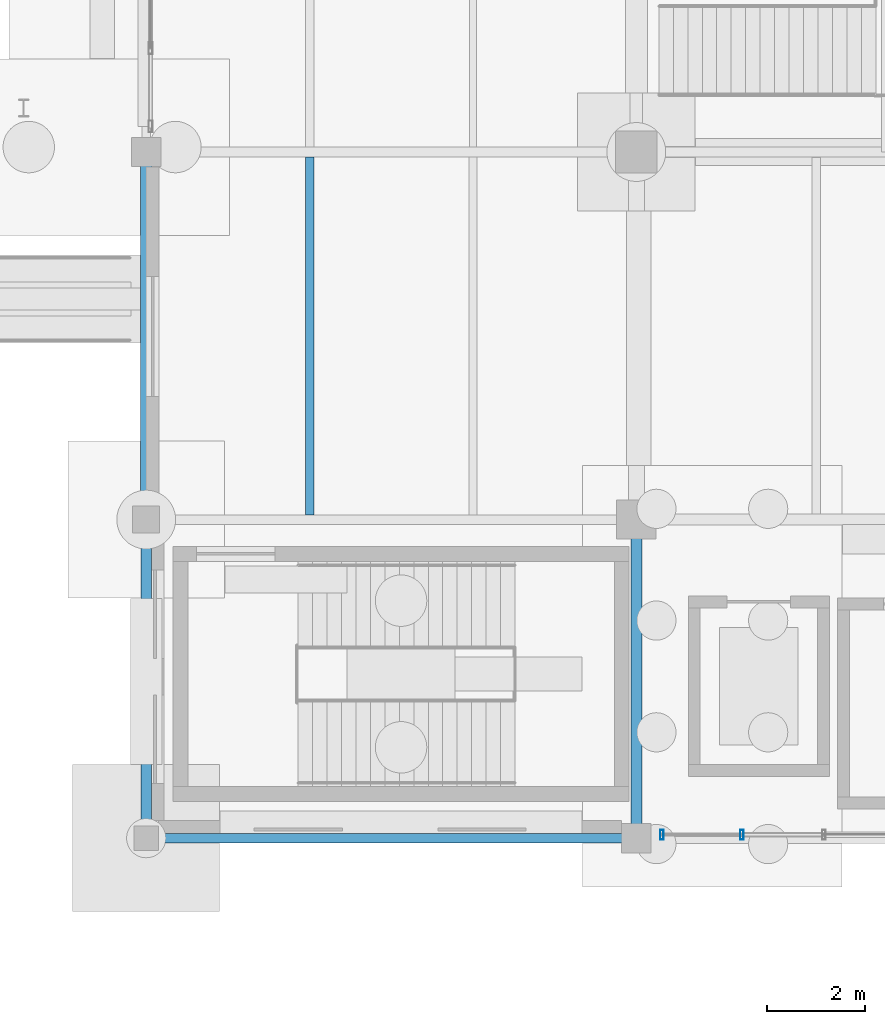
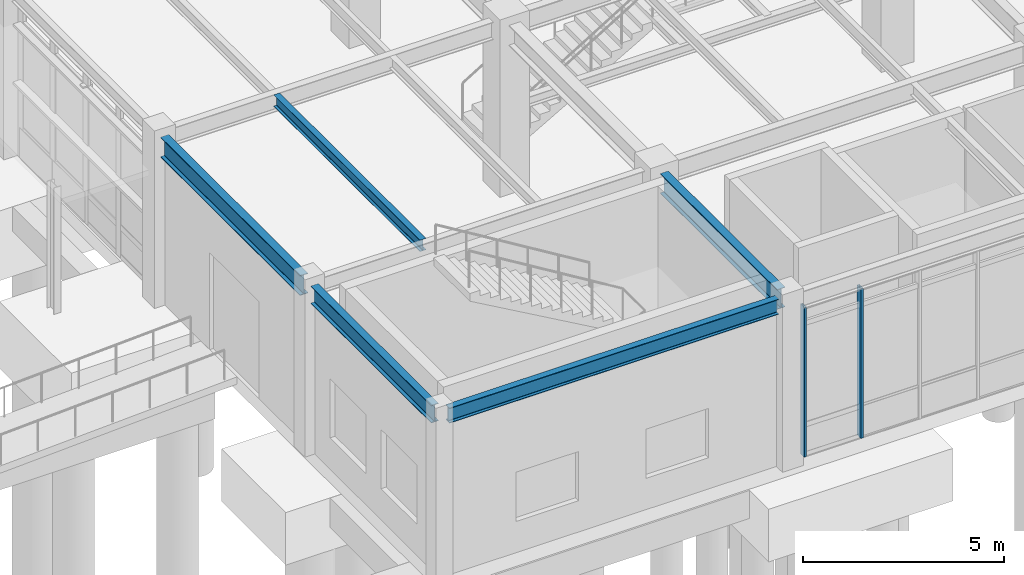
# One storey, part 28 of 203: 5 beams, 2 members, 1 element without a shape of its own.
"""IFC4 building model written with IfcOpenShell, lengths in metres."""

from ifc_helpers import new_model, si_unit, direction, frame, origin, origin_2d, place, context, subcontext, project, spatial, hollow_rectangle, i_section, extrude, material, material_profile, profile_set, type_object, element, aggregate, save


model = new_model("IFC4")

# Units and contexts
model_context = context("Model", 3, precision=1e-05, world=origin(), true_north=direction((0.0, 1.0)))
body_context = subcontext(model_context, "Body", "Model", "MODEL_VIEW")
ifc_project = project(units=[si_unit("LENGTHUNIT", "METRE"), si_unit("AREAUNIT", "SQUARE_METRE"), si_unit("VOLUMEUNIT", "CUBIC_METRE"), si_unit("PLANEANGLEUNIT", "RADIAN"), si_unit("MASSUNIT", "GRAM", prefix="KILO"), si_unit("THERMODYNAMICTEMPERATUREUNIT", "KELVIN"), si_unit("POWERUNIT", "WATT")], contexts=[model_context])

# Site, building, storey
site_placement = place(None, origin())
site = spatial("IfcSite", under=ifc_project, at=site_placement, CompositionType="ELEMENT")
building_placement = place(site_placement, origin())
building = spatial("IfcBuilding", under=site, at=building_placement, Name="Tepalcoro Natatorium and Aquatics Centre", CompositionType="ELEMENT")
storey_placement = place(building_placement, origin())
storey = spatial("IfcBuildingStorey", under=building, at=storey_placement, Name="L00", CompositionType="ELEMENT", Elevation=0.0)

# Beam
ifc_material_1 = material(Name="Steel ASTM A992 Grade 50 (Fy 345 MPa)", Category="steel")
ifc_material_profile_1 = material_profile(ifc_material_1, i_section(OverallWidth=0.22802734375, OverallDepth=0.60693359375, WebThickness=0.010986328125, FlangeThickness=0.01708984375, FilletRadius=0.013916015625, at=origin_2d()), Name="W24X76")
ifc_profile_set_1 = profile_set([ifc_material_profile_1], Name="Steel ASTM A992 Grade 50 (Fy 345 MPa)")
beam_type_1 = type_object("IfcBeamType", Name="BM_W24x76", PredefinedType="BEAM", material=ifc_profile_set_1)
beam_1_placement = place(storey_placement, frame((10.0, 6.784912109375, 4.841552734375), z_axis=(0.0, 1.0, 0.0), x_axis=(-1.0, 0.0, 0.0)))
element("IfcBeam", 1, at=beam_1_placement, inside=storey, type_object=beam_type_1, Name="V3 L00 Grid Girder Y", PredefinedType="BEAM", context=body_context, shape_type="SweptSolid", body=[
    extrude(i_section(OverallWidth=0.22802734375, OverallDepth=0.60693359375, WebThickness=0.010986328125, FlangeThickness=0.01708984375, FilletRadius=0.013916015625, at=origin_2d()), origin(), (0.0, 0.0, 1.0), 5.830078125),
])

# Curtain wall, members
ifc_material_2 = material(Name="Bronze-Anodised Extruded Aluminium Alloy EN AW-6063 T6", Category="aluminium")
curtain_wall_type = type_object("IfcCurtainWallType", Name="CW_V3_FOYER", PredefinedType="USERDEFINED", material=ifc_material_2)
curtain_wall_placement = place(storey_placement, origin())
curtain_wall = element("IfcCurtainWall", 2, at=curtain_wall_placement, inside=storey, type_object=curtain_wall_type, Name="V3 L00 S Unitised Curtain Wall Bay 2", ObjectType="UNITISED STOREFRONT", PredefinedType="USERDEFINED")
ifc_material_profile_2 = material_profile(ifc_material_2, hollow_rectangle(XDim=0.070068359375, YDim=0.199951171875, WallThickness=0.0048828125, at=origin_2d()), Name="AL70X200X5")
ifc_profile_set_2 = profile_set([ifc_material_profile_2], Name="Bronze-Anodised Extruded Aluminium Alloy EN AW-6063 T6")
member_type = type_object("IfcMemberType", Name="CW_MUL_70x200", PredefinedType="MULLION", material=ifc_profile_set_2)
member_1_placement = place(storey_placement, frame((10.52001953125, 6.5712890625, 0.02001953125), z_axis=(0.0, 0.0, 1.0), x_axis=(1.0, 0.0, 0.0)))
member_1 = element("IfcMember", 3, at=member_1_placement, type_object=member_type, Name="CW_V3_FOYER Curtain Wall Mullion", PredefinedType="MULLION", context=body_context, shape_type="SweptSolid", body=[
    extrude(hollow_rectangle(XDim=0.070068359375, YDim=0.199951171875, WallThickness=0.0048828125, at=origin_2d()), origin(), (0.0, 0.0, 1.0), 4.553955078125),
])
member_2_placement = place(storey_placement, frame((12.1533203125, 6.5712890625, 0.02001953125), z_axis=(0.0, 0.0, 1.0), x_axis=(1.0, 0.0, 0.0)))
member_2 = element("IfcMember", 4, at=member_2_placement, type_object=member_type, Name="CW_V3_FOYER Curtain Wall Mullion", PredefinedType="MULLION", context=body_context, shape_type="SweptSolid", body=[
    extrude(hollow_rectangle(XDim=0.070068359375, YDim=0.199951171875, WallThickness=0.0048828125, at=origin_2d()), origin(), (0.0, 0.0, 1.0), 4.553955078125),
])
aggregate(curtain_wall, [member_1, member_2])

# Beams
ifc_material_profile_3 = material_profile(ifc_material_1, i_section(OverallWidth=0.1708984375, OverallDepth=0.35107421875, WebThickness=0.007080078125, FlangeThickness=0.010009765625, FilletRadius=0.013916015625, at=origin_2d()), Name="W14X30")
ifc_profile_set_3 = profile_set([ifc_material_profile_3], Name="Steel ASTM A992 Grade 50 (Fy 345 MPa)")
beam_type_2 = type_object("IfcBeamType", Name="JS_W14x30", PredefinedType="JOIST", material=ifc_profile_set_3)
beam_2_placement = place(storey_placement, frame((3.333251953125, 13.096435546875, 4.969482421875), z_axis=(0.0, 1.0, 0.0), x_axis=(-1.0, 0.0, 0.0)))
element("IfcBeam", 5, at=beam_2_placement, inside=storey, type_object=beam_type_2, Name="V3 L00 Floor Joist", PredefinedType="JOIST", context=body_context, shape_type="SweptSolid", body=[
    extrude(i_section(OverallWidth=0.1708984375, OverallDepth=0.35107421875, WebThickness=0.007080078125, FlangeThickness=0.010009765625, FilletRadius=0.013916015625, at=origin_2d()), origin(), (0.0, 0.0, 1.0), 7.298583984375),
])
ifc_material_profile_4 = material_profile(ifc_material_1, i_section(OverallWidth=0.19091796875, OverallDepth=0.4599609375, WebThickness=0.010009765625, FlangeThickness=0.01611328125, FilletRadius=0.013916015625, at=origin_2d()), Name="W18X55")
ifc_profile_set_4 = profile_set([ifc_material_profile_4], Name="Steel ASTM A992 Grade 50 (Fy 345 MPa)")
beam_type_3 = type_object("IfcBeamType", Name="SP_W18x55", PredefinedType="SPANDREL", material=ifc_profile_set_4)
beam_3_placement = place(storey_placement, frame((0.235107421875, 6.5, 4.9150390625), z_axis=(1.0, 0.0, 0.0), x_axis=(0.0, 1.0, 0.0)))
element("IfcBeam", 6, at=beam_3_placement, inside=storey, type_object=beam_type_3, Name="V3 L00 Grid Girder X", PredefinedType="SPANDREL", context=body_context, shape_type="SweptSolid", body=[
    extrude(i_section(OverallWidth=0.19091796875, OverallDepth=0.4599609375, WebThickness=0.010009765625, FlangeThickness=0.01611328125, FilletRadius=0.013916015625, at=origin_2d()), origin(), (0.0, 0.0, 1.0), 9.47998046875),
])
ifc_material_profile_5 = material_profile(ifc_material_1, i_section(OverallWidth=0.2099609375, OverallDepth=0.535888671875, WebThickness=0.010986328125, FlangeThickness=0.01708984375, FilletRadius=0.013916015625, at=origin_2d()), Name="W21X68")
ifc_profile_set_5 = profile_set([ifc_material_profile_5], Name="Steel ASTM A992 Grade 50 (Fy 345 MPa)")
beam_type_4 = type_object("IfcBeamType", Name="SP_W21x68", PredefinedType="SPANDREL", material=ifc_profile_set_5)
beam_4_placement = place(storey_placement, frame((0.0, 6.735107421875, 4.876953125), z_axis=(0.0, 1.0, 0.0), x_axis=(-1.0, 0.0, 0.0)))
element("IfcBeam", 7, at=beam_4_placement, inside=storey, type_object=beam_type_4, Name="V3 L00 Grid Girder Y", PredefinedType="SPANDREL", context=body_context, shape_type="SweptSolid", body=[
    extrude(i_section(OverallWidth=0.2099609375, OverallDepth=0.535888671875, WebThickness=0.010986328125, FlangeThickness=0.01708984375, FilletRadius=0.013916015625, at=origin_2d()), origin(), (0.0, 0.0, 1.0), 6.0048828125),
])
ifc_material_profile_6 = material_profile(ifc_material_1, i_section(OverallWidth=0.22900390625, OverallDepth=0.612060546875, WebThickness=0.011962890625, FlangeThickness=0.02001953125, FilletRadius=0.013916015625, at=origin_2d()), Name="W24X84")
ifc_profile_set_6 = profile_set([ifc_material_profile_6], Name="Steel ASTM A992 Grade 50 (Fy 345 MPa)")
beam_type_5 = type_object("IfcBeamType", Name="SP_W24x84", PredefinedType="SPANDREL", material=ifc_profile_set_6)
beam_5_placement = place(storey_placement, frame((0.0, 13.260009765625, 4.839111328125), z_axis=(0.0, 1.0, 0.0), x_axis=(-1.0, 0.0, 0.0)))
element("IfcBeam", 8, at=beam_5_placement, inside=storey, type_object=beam_type_5, Name="V3 L00 Grid Girder Y", PredefinedType="SPANDREL", context=body_context, shape_type="SweptSolid", body=[
    extrude(i_section(OverallWidth=0.22900390625, OverallDepth=0.612060546875, WebThickness=0.011962890625, FlangeThickness=0.02001953125, FilletRadius=0.013916015625, at=origin_2d()), origin(), (0.0, 0.0, 1.0), 6.955078125),
])

save(model, "model.ifc")
